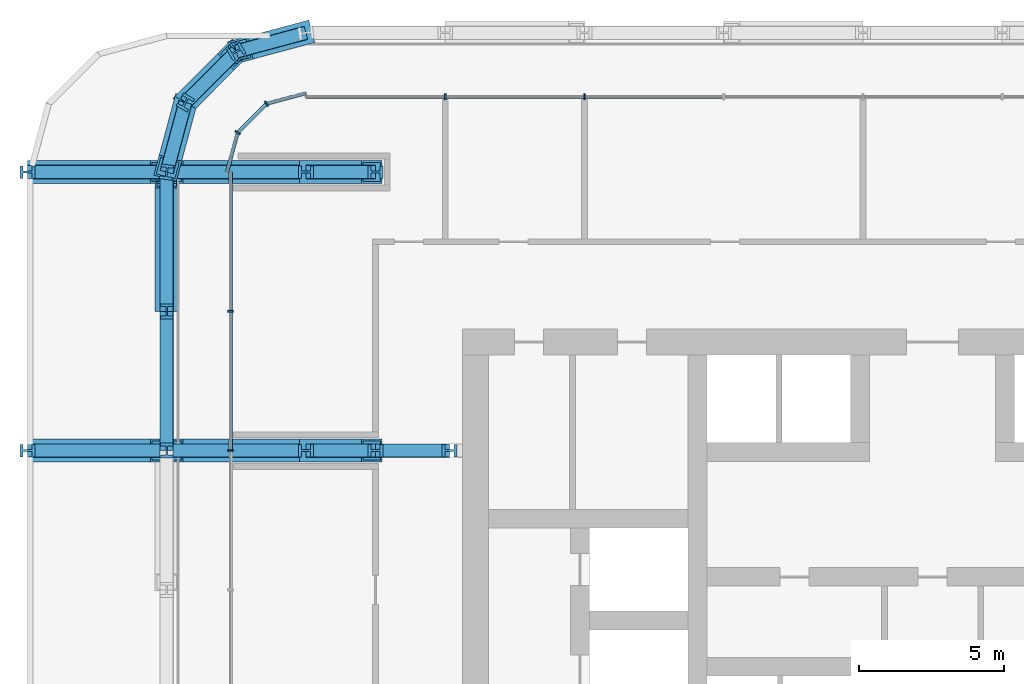
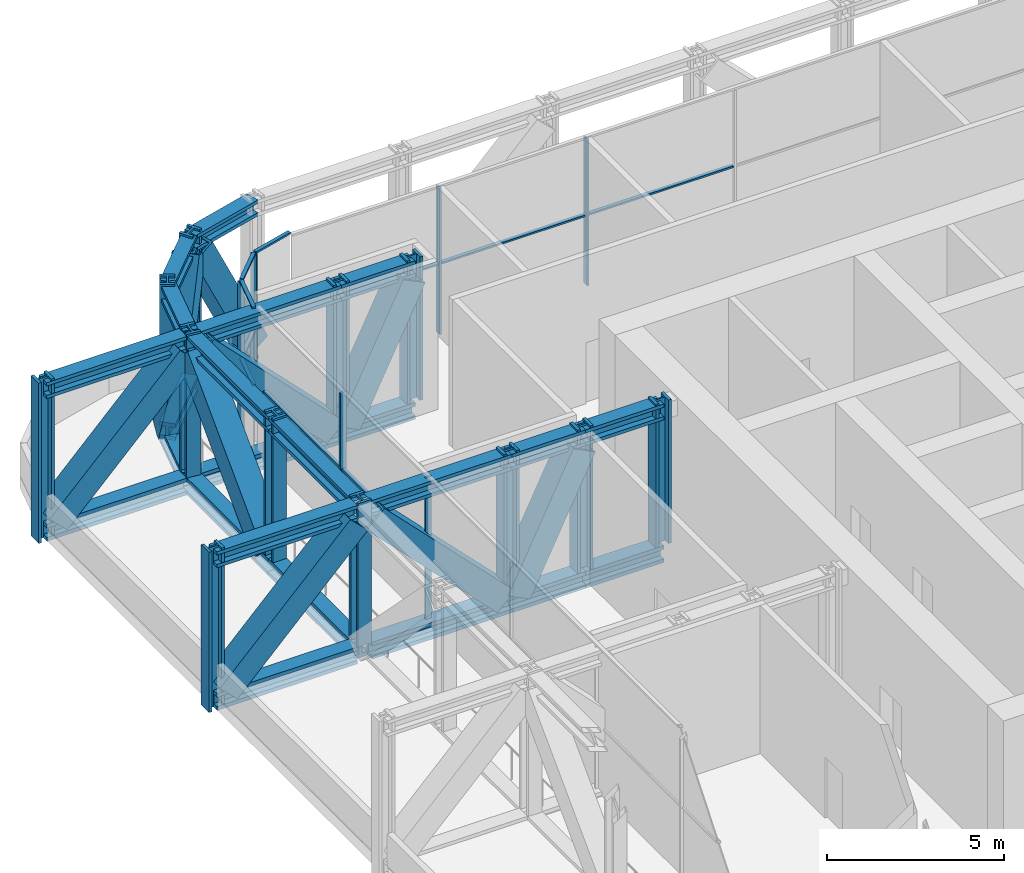
# One storey, part 12 of 30: 63 members, 3 elements without a shape of their own.
"""IFC4 building model written with IfcOpenShell, lengths in metres."""

from ifc_helpers import new_model, si_unit, direction, frame, origin, origin_2d, place, context, subcontext, project, spatial, rectangle, hollow_rectangle, i_section, extrude, material, layer, layer_set, material_profile, profile_set, type_object, element, aggregate, save


model = new_model("IFC4")

# Units and contexts
model_context = context("Model", 3, precision=1e-05, world=origin(), true_north=direction((0.0, 1.0)))
body_context = subcontext(model_context, "Body", "Model", "MODEL_VIEW")
ifc_project = project(units=[si_unit("LENGTHUNIT", "METRE"), si_unit("AREAUNIT", "SQUARE_METRE"), si_unit("VOLUMEUNIT", "CUBIC_METRE"), si_unit("PLANEANGLEUNIT", "RADIAN"), si_unit("MASSUNIT", "GRAM", prefix="KILO")], contexts=[model_context])

# Site, building, storey
site_placement = place(None, origin())
site = spatial("IfcSite", under=ifc_project, at=site_placement, CompositionType="ELEMENT")
building_placement = place(site_placement, origin())
building = spatial("IfcBuilding", under=site, at=building_placement, Name="Madar Terraces", CompositionType="ELEMENT")
storey_placement = place(building_placement, frame((0.0, 0.0, 53.89990234375)))
storey = spatial("IfcBuildingStorey", under=building, at=storey_placement, Name="L13", CompositionType="ELEMENT", Elevation=53.89990234375)

# Members
ifc_material_1 = material(Name="Steel ASTM A913 Grade 65", Category="steel")
ifc_material_profile_1 = material_profile(ifc_material_1, i_section(OverallWidth=0.472412109375, OverallDepth=0.5791015625, WebThickness=0.094970703125, FlangeThickness=0.130126953125, at=origin_2d()), Name="W14x808")
ifc_profile_set_1 = profile_set([ifc_material_profile_1], Name="Steel ASTM A913 Grade 65")
member_type_1 = type_object("IfcMemberType", Name="BC2 W14x808", PredefinedType="CHORD", material=ifc_profile_set_1)
member_1_placement = place(storey_placement, frame((9.60009765625, 48.0, -0.13037109375), z_axis=(-0.965930947833, -0.258799930484, 0.0), x_axis=(0.258799930484, -0.965930947833, 0.0)))
element("IfcMember", 1, at=member_1_placement, inside=storey, type_object=member_type_1, Name="Exoskeleton truss ring bottom chord BC2", PredefinedType="CHORD", context=body_context, shape_type="SweptSolid", body=[
    extrude(i_section(OverallWidth=0.472412109375, OverallDepth=0.5791015625, WebThickness=0.094970703125, FlangeThickness=0.130126953125, at=origin_2d()), origin(), (0.0, 0.0, 1.0), 2.48486328125),
])
member_2_placement = place(storey_placement, frame((7.199951171875, 47.35693359375, -0.13037109375), z_axis=(-0.707106781187, -0.707106781187, 0.0), x_axis=(0.707106781187, -0.707106781187, 0.0)))
element("IfcMember", 2, at=member_2_placement, inside=storey, type_object=member_type_1, Name="Exoskeleton truss ring bottom chord BC2", PredefinedType="CHORD", context=body_context, shape_type="SweptSolid", body=[
    extrude(i_section(OverallWidth=0.472412109375, OverallDepth=0.5791015625, WebThickness=0.094970703125, FlangeThickness=0.130126953125, at=origin_2d()), origin(), (0.0, 0.0, 1.0), 2.484619140625),
])
member_3_placement = place(storey_placement, frame((5.443115234375, 45.60009765625, -0.13037109375), z_axis=(-0.258799930484, -0.965930947833, 0.0), x_axis=(0.965930947833, -0.258799930484, 0.0)))
element("IfcMember", 3, at=member_3_placement, inside=storey, type_object=member_type_1, Name="Exoskeleton truss ring bottom chord BC2", PredefinedType="CHORD", context=body_context, shape_type="SweptSolid", body=[
    extrude(i_section(OverallWidth=0.472412109375, OverallDepth=0.5791015625, WebThickness=0.094970703125, FlangeThickness=0.130126953125, at=origin_2d()), origin(), (0.0, 0.0, 1.0), 2.48486328125),
])
member_4_placement = place(storey_placement, frame((4.800048828125, 43.199951171875, -0.13037109375), z_axis=(0.0, -1.0, 0.0), x_axis=(1.0, 0.0, 0.0)))
element("IfcMember", 4, at=member_4_placement, inside=storey, type_object=member_type_1, Name="Exoskeleton truss ring bottom chord BC2", PredefinedType="CHORD", context=body_context, shape_type="SweptSolid", body=[
    extrude(i_section(OverallWidth=0.472412109375, OverallDepth=0.5791015625, WebThickness=0.094970703125, FlangeThickness=0.130126953125, at=origin_2d()), origin(), (0.0, 0.0, 1.0), 4.800048828125),
])
member_5_placement = place(storey_placement, frame((4.800048828125, 38.39990234375, -0.13037109375), z_axis=(0.0, -1.0, 0.0), x_axis=(1.0, 0.0, 0.0)))
element("IfcMember", 5, at=member_5_placement, inside=storey, type_object=member_type_1, Name="Exoskeleton truss ring bottom chord BC2", PredefinedType="CHORD", context=body_context, shape_type="SweptSolid", body=[
    extrude(i_section(OverallWidth=0.472412109375, OverallDepth=0.5791015625, WebThickness=0.094970703125, FlangeThickness=0.130126953125, at=origin_2d()), origin(), (0.0, 0.0, 1.0), 4.7998046875),
])
member_6_placement = place(storey_placement, frame((0.0, 33.60009765625, -0.13037109375), z_axis=(1.0, 0.0, 0.0), x_axis=(0.0, 1.0, 0.0)))
element("IfcMember", 6, at=member_6_placement, inside=storey, type_object=member_type_1, Name="Exoskeleton truss cross W33.6 bottom chord BC2", PredefinedType="CHORD", context=body_context, shape_type="SweptSolid", body=[
    extrude(i_section(OverallWidth=0.472412109375, OverallDepth=0.5791015625, WebThickness=0.094970703125, FlangeThickness=0.130126953125, at=origin_2d()), origin(), (0.0, 0.0, 1.0), 4.563720703125),
])
member_7_placement = place(storey_placement, frame((5.0361328125, 33.60009765625, -0.13037109375), z_axis=(1.0, 0.0, 0.0), x_axis=(0.0, 1.0, 0.0)))
element("IfcMember", 7, at=member_7_placement, inside=storey, type_object=member_type_1, Name="Exoskeleton truss cross W33.6 bottom chord BC2", PredefinedType="CHORD", context=body_context, shape_type="SweptSolid", body=[
    extrude(i_section(OverallWidth=0.472412109375, OverallDepth=0.5791015625, WebThickness=0.094970703125, FlangeThickness=0.130126953125, at=origin_2d()), origin(), (0.0, 0.0, 1.0), 4.56396484375),
])
member_8_placement = place(storey_placement, frame((9.60009765625, 33.60009765625, -0.13037109375), z_axis=(1.0, 0.0, 0.0), x_axis=(0.0, 1.0, 0.0)))
element("IfcMember", 8, at=member_8_placement, inside=storey, type_object=member_type_1, Name="Exoskeleton truss cross W33.6 bottom chord BC2", PredefinedType="CHORD", context=body_context, shape_type="SweptSolid", body=[
    extrude(i_section(OverallWidth=0.472412109375, OverallDepth=0.5791015625, WebThickness=0.094970703125, FlangeThickness=0.130126953125, at=origin_2d()), origin(), (0.0, 0.0, 1.0), 2.39990234375),
])
member_9_placement = place(storey_placement, frame((12.0, 33.60009765625, -0.13037109375), z_axis=(1.0, 0.0, 0.0), x_axis=(0.0, 1.0, 0.0)))
element("IfcMember", 9, at=member_9_placement, inside=storey, type_object=member_type_1, Name="Exoskeleton truss cross W33.6 bottom chord BC2", PredefinedType="CHORD", context=body_context, shape_type="SweptSolid", body=[
    extrude(i_section(OverallWidth=0.472412109375, OverallDepth=0.5791015625, WebThickness=0.094970703125, FlangeThickness=0.130126953125, at=origin_2d()), origin(), (0.0, 0.0, 1.0), 2.550048828125),
])
member_10_placement = place(storey_placement, frame((0.0, 43.199951171875, -0.13037109375), z_axis=(1.0, 0.0, 0.0), x_axis=(0.0, 1.0, 0.0)))
element("IfcMember", 10, at=member_10_placement, inside=storey, type_object=member_type_1, Name="Exoskeleton truss cross W43.2 bottom chord BC2", PredefinedType="CHORD", context=body_context, shape_type="SweptSolid", body=[
    extrude(i_section(OverallWidth=0.472412109375, OverallDepth=0.5791015625, WebThickness=0.094970703125, FlangeThickness=0.130126953125, at=origin_2d()), origin(), (0.0, 0.0, 1.0), 4.563720703125),
])
member_11_placement = place(storey_placement, frame((5.0361328125, 43.199951171875, -0.13037109375), z_axis=(1.0, 0.0, 0.0), x_axis=(0.0, 1.0, 0.0)))
element("IfcMember", 11, at=member_11_placement, inside=storey, type_object=member_type_1, Name="Exoskeleton truss cross W43.2 bottom chord BC2", PredefinedType="CHORD", context=body_context, shape_type="SweptSolid", body=[
    extrude(i_section(OverallWidth=0.472412109375, OverallDepth=0.5791015625, WebThickness=0.094970703125, FlangeThickness=0.130126953125, at=origin_2d()), origin(), (0.0, 0.0, 1.0), 4.56396484375),
])
member_12_placement = place(storey_placement, frame((9.60009765625, 43.199951171875, -0.13037109375), z_axis=(1.0, 0.0, 0.0), x_axis=(0.0, 1.0, 0.0)))
element("IfcMember", 12, at=member_12_placement, inside=storey, type_object=member_type_1, Name="Exoskeleton truss cross W43.2 bottom chord BC2", PredefinedType="CHORD", context=body_context, shape_type="SweptSolid", body=[
    extrude(i_section(OverallWidth=0.472412109375, OverallDepth=0.5791015625, WebThickness=0.094970703125, FlangeThickness=0.130126953125, at=origin_2d()), origin(), (0.0, 0.0, 1.0), 2.39990234375),
])

# Curtain wall, members
ifc_material_2 = material(Name="Glass, ceramic frit dark grey, with black aluminium frame", Category="aluminium")
ifc_layer = layer(ifc_material_2, 0.199951171875)
ifc_layer_set = layer_set([ifc_layer], Name="Facade curtain wall, tall glazing")
curtain_wall_type = type_object("IfcCurtainWallType", Name="Facade curtain wall, tall glazing", PredefinedType="NOTDEFINED", material=ifc_layer_set)
curtain_wall_1_placement = place(storey_placement, origin())
curtain_wall_1 = element("IfcCurtainWall", 13, at=curtain_wall_1_placement, inside=storey, type_object=curtain_wall_type, Name="Outer skin curtain wall north bay 1", PredefinedType="NOTDEFINED")
ifc_material_3 = material(Name="Aluminium, black anodised", Category="aluminium")
ifc_material_profile_2 = material_profile(ifc_material_3, rectangle(XDim=0.199951171875, YDim=0.06005859375, at=origin_2d()), Name="Facade mullion 60x200")
ifc_profile_set_2 = profile_set([ifc_material_profile_2], Name="Aluminium, black anodised")
member_type_2 = type_object("IfcMemberType", Name="Facade mullion 60x200", PredefinedType="MULLION", material=ifc_profile_set_2)
member_13_placement = place(storey_placement, frame((19.199951171875, 45.800048828125, 0.0), z_axis=(0.0, 0.0, 1.0), x_axis=(0.0, -1.0, 0.0)))
member_13 = element("IfcMember", 14, at=member_13_placement, type_object=member_type_2, Name="Mullion 8", PredefinedType="MULLION", context=body_context, shape_type="SweptSolid", body=[
    extrude(rectangle(XDim=0.199951171875, YDim=0.06005859375, at=origin_2d()), origin(), (0.0, 0.0, 1.0), 5.0400390625),
])
member_14_placement = place(storey_placement, frame((14.39990234375, 45.800048828125, 0.0), z_axis=(0.0, 0.0, 1.0), x_axis=(0.0, -1.0, 0.0)))
member_14 = element("IfcMember", 15, at=member_14_placement, type_object=member_type_2, Name="Mullion 9", PredefinedType="MULLION", context=body_context, shape_type="SweptSolid", body=[
    extrude(rectangle(XDim=0.199951171875, YDim=0.06005859375, at=origin_2d()), origin(), (0.0, 0.0, 1.0), 5.0400390625),
])

curtain_wall_2_placement = place(storey_placement, origin())
curtain_wall_2 = element("IfcCurtainWall", 16, at=curtain_wall_2_placement, inside=storey, type_object=curtain_wall_type, Name="Outer skin curtain wall west bay 1", PredefinedType="NOTDEFINED")
member_15_placement = place(storey_placement, frame((7.0, 38.39990234375, 0.0), z_axis=(0.0, 0.0, 1.0), x_axis=(1.0, 0.0, 0.0)))
member_15 = element("IfcMember", 17, at=member_15_placement, type_object=member_type_2, Name="Mullion 1", PredefinedType="MULLION", context=body_context, shape_type="SweptSolid", body=[
    extrude(rectangle(XDim=0.199951171875, YDim=0.06005859375, at=origin_2d()), origin(), (0.0, 0.0, 1.0), 5.0400390625),
])
member_16_placement = place(storey_placement, frame((7.0, 33.60009765625, 0.0), z_axis=(0.0, 0.0, 1.0), x_axis=(1.0, 0.0, 0.0)))
member_16 = element("IfcMember", 18, at=member_16_placement, type_object=member_type_2, Name="Mullion 2", PredefinedType="MULLION", context=body_context, shape_type="SweptSolid", body=[
    extrude(rectangle(XDim=0.199951171875, YDim=0.06005859375, at=origin_2d()), origin(), (0.0, 0.0, 1.0), 5.0400390625),
])

curtain_wall_3_placement = place(storey_placement, origin())
curtain_wall_3 = element("IfcCurtainWall", 19, at=curtain_wall_3_placement, inside=storey, type_object=curtain_wall_type, Name="Outer skin curtain wall north-west corner", PredefinedType="NOTDEFINED")
member_17_placement = place(storey_placement, frame((8.239990234375, 45.5556640625, 0.0), z_axis=(0.0, 0.0, 1.0), x_axis=(0.500000029202, -0.866025386925, 0.0)))
member_17 = element("IfcMember", 20, at=member_17_placement, type_object=member_type_2, Name="Mullion 1", PredefinedType="MULLION", context=body_context, shape_type="SweptSolid", body=[
    extrude(rectangle(XDim=0.199951171875, YDim=0.06005859375, at=origin_2d()), origin(), (0.0, 0.0, 1.0), 5.0400390625),
])
member_18_placement = place(storey_placement, frame((7.244384765625, 44.56005859375, 0.0), z_axis=(0.0, 0.0, 1.0), x_axis=(0.866025386925, -0.500000029202, 0.0)))
member_18 = element("IfcMember", 21, at=member_18_placement, type_object=member_type_2, Name="Mullion 2", PredefinedType="MULLION", context=body_context, shape_type="SweptSolid", body=[
    extrude(rectangle(XDim=0.199951171875, YDim=0.06005859375, at=origin_2d()), origin(), (0.0, 0.0, 1.0), 5.0400390625),
])

# Member
ifc_material_4 = material(Name="Aluminium, black anodised", Category="aluminium")
ifc_material_profile_3 = material_profile(ifc_material_4, rectangle(XDim=0.1201171875, YDim=0.06005859375, at=origin_2d()), Name="Facade transom 60x120")
ifc_profile_set_3 = profile_set([ifc_material_profile_3], Name="Aluminium, black anodised")
member_type_3 = type_object("IfcMemberType", Name="Facade transom 60x120", PredefinedType="USERDEFINED", material=ifc_profile_set_3)
member_19_placement = place(storey_placement, frame((23.969970703125, 45.800048828125, 2.400146484375), z_axis=(-1.0, 0.0, 0.0), x_axis=(0.0, -1.0, 0.0)))
member_19 = element("IfcMember", 22, at=member_19_placement, type_object=member_type_3, Name="Transom 9", ObjectType="TRANSOM", PredefinedType="USERDEFINED", context=body_context, shape_type="SweptSolid", body=[
    extrude(rectangle(XDim=0.1201171875, YDim=0.06005859375, at=origin_2d()), origin(), (0.0, 0.0, 1.0), 4.739990234375),
])

member_20_placement = place(storey_placement, frame((19.169921875, 45.800048828125, 2.400146484375), z_axis=(-1.0, 0.0, 0.0), x_axis=(0.0, -1.0, 0.0)))
member_20 = element("IfcMember", 23, at=member_20_placement, type_object=member_type_3, Name="Transom 10", ObjectType="TRANSOM", PredefinedType="USERDEFINED", context=body_context, shape_type="SweptSolid", body=[
    extrude(rectangle(XDim=0.1201171875, YDim=0.06005859375, at=origin_2d()), origin(), (0.0, 0.0, 1.0), 4.739990234375),
])

member_21_placement = place(storey_placement, frame((14.3701171875, 45.800048828125, 2.400146484375), z_axis=(-1.0, 0.0, 0.0), x_axis=(0.0, -1.0, 0.0)))
member_21 = element("IfcMember", 24, at=member_21_placement, type_object=member_type_3, Name="Transom 11", ObjectType="TRANSOM", PredefinedType="USERDEFINED", context=body_context, shape_type="SweptSolid", body=[
    extrude(rectangle(XDim=0.1201171875, YDim=0.06005859375, at=origin_2d()), origin(), (0.0, 0.0, 1.0), 4.77001953125),
])

aggregate(curtain_wall_1, [member_13, member_14, member_19, member_20, member_21])

member_22_placement = place(storey_placement, frame((7.0, 43.199951171875, 2.400146484375), z_axis=(0.0, -1.0, 0.0), x_axis=(1.0, 0.0, 0.0)))
member_22 = element("IfcMember", 25, at=member_22_placement, type_object=member_type_3, Name="Transom 2", ObjectType="TRANSOM", PredefinedType="USERDEFINED", context=body_context, shape_type="SweptSolid", body=[
    extrude(rectangle(XDim=0.1201171875, YDim=0.06005859375, at=origin_2d()), origin(), (0.0, 0.0, 1.0), 4.77001953125),
])

member_23_placement = place(storey_placement, frame((7.0, 38.3701171875, 2.400146484375), z_axis=(0.0, -1.0, 0.0), x_axis=(1.0, 0.0, 0.0)))
member_23 = element("IfcMember", 26, at=member_23_placement, type_object=member_type_3, Name="Transom 3", ObjectType="TRANSOM", PredefinedType="USERDEFINED", context=body_context, shape_type="SweptSolid", body=[
    extrude(rectangle(XDim=0.1201171875, YDim=0.06005859375, at=origin_2d()), origin(), (0.0, 0.0, 1.0), 4.740234375),
])

aggregate(curtain_wall_2, [member_15, member_16, member_22, member_23])

member_24_placement = place(storey_placement, frame((9.60009765625, 45.919921875, 5.070068359375), z_axis=(-0.965919580711, -0.258842352791, 0.0), x_axis=(0.258842352791, -0.965919580711, 0.0)))
member_24 = element("IfcMember", 27, at=member_24_placement, type_object=member_type_3, Name="Transom 1", ObjectType="TRANSOM", PredefinedType="USERDEFINED", context=body_context, shape_type="SweptSolid", body=[
    extrude(rectangle(XDim=0.1201171875, YDim=0.06005859375, at=origin_2d()), origin(), (0.0, 0.0, 1.0), 1.3779296875),
])

member_25_placement = place(storey_placement, frame((9.60009765625, 45.919921875, 2.400146484375), z_axis=(-0.965919580711, -0.258842352791, 0.0), x_axis=(0.258842352791, -0.965919580711, 0.0)))
member_25 = element("IfcMember", 28, at=member_25_placement, type_object=member_type_3, Name="Transom 2", ObjectType="TRANSOM", PredefinedType="USERDEFINED", context=body_context, shape_type="SweptSolid", body=[
    extrude(rectangle(XDim=0.1201171875, YDim=0.06005859375, at=origin_2d()), origin(), (0.0, 0.0, 1.0), 1.3779296875),
])

member_26_placement = place(storey_placement, frame((8.21875, 45.534423828125, 5.070068359375), z_axis=(-0.707106781187, -0.707106781187, 0.0), x_axis=(0.707106781187, -0.707106781187, 0.0)))
member_26 = element("IfcMember", 29, at=member_26_placement, type_object=member_type_3, Name="Transom 3", ObjectType="TRANSOM", PredefinedType="USERDEFINED", context=body_context, shape_type="SweptSolid", body=[
    extrude(rectangle(XDim=0.1201171875, YDim=0.06005859375, at=origin_2d()), origin(), (0.0, 0.0, 1.0), 1.347900390625),
])

member_27_placement = place(storey_placement, frame((8.21875, 45.534423828125, 2.400146484375), z_axis=(-0.707106781187, -0.707106781187, 0.0), x_axis=(0.707106781187, -0.707106781187, 0.0)))
member_27 = element("IfcMember", 30, at=member_27_placement, type_object=member_type_3, Name="Transom 4", ObjectType="TRANSOM", PredefinedType="USERDEFINED", context=body_context, shape_type="SweptSolid", body=[
    extrude(rectangle(XDim=0.1201171875, YDim=0.06005859375, at=origin_2d()), origin(), (0.0, 0.0, 1.0), 1.347900390625),
])

member_28_placement = place(storey_placement, frame((7.236572265625, 44.531005859375, 5.070068359375), z_axis=(-0.258842352791, -0.965919580711, 0.0), x_axis=(0.965919580711, -0.258842352791, 0.0)))
member_28 = element("IfcMember", 31, at=member_28_placement, type_object=member_type_3, Name="Transom 5", ObjectType="TRANSOM", PredefinedType="USERDEFINED", context=body_context, shape_type="SweptSolid", body=[
    extrude(rectangle(XDim=0.1201171875, YDim=0.06005859375, at=origin_2d()), origin(), (0.0, 0.0, 1.0), 1.3779296875),
])

member_29_placement = place(storey_placement, frame((7.236572265625, 44.531005859375, 2.400146484375), z_axis=(-0.258842352791, -0.965919580711, 0.0), x_axis=(0.965919580711, -0.258842352791, 0.0)))
member_29 = element("IfcMember", 32, at=member_29_placement, type_object=member_type_3, Name="Transom 6", ObjectType="TRANSOM", PredefinedType="USERDEFINED", context=body_context, shape_type="SweptSolid", body=[
    extrude(rectangle(XDim=0.1201171875, YDim=0.06005859375, at=origin_2d()), origin(), (0.0, 0.0, 1.0), 1.3779296875),
])

aggregate(curtain_wall_3, [member_17, member_24, member_25, member_18, member_26, member_27, member_28, member_29])

# Members
ifc_material_5 = material(Name="Steel ASTM A913 Grade 65", Category="steel")
ifc_material_profile_4 = material_profile(ifc_material_5, i_section(OverallWidth=0.449462890625, OverallDepth=0.548583984375, WebThickness=0.07177734375, FlangeThickness=0.11474609375, at=origin_2d()), Name="W14x665")
ifc_profile_set_4 = profile_set([ifc_material_profile_4], Name="Steel ASTM A913 Grade 65")
member_type_4 = type_object("IfcMemberType", Name="TC2 W14x665", PredefinedType="CHORD", material=ifc_profile_set_4)
member_30_placement = place(storey_placement, frame((9.60009765625, 48.0, 4.755859375), z_axis=(-0.965930947833, -0.258799930484, 0.0), x_axis=(0.258799930484, -0.965930947833, 0.0)))
element("IfcMember", 33, at=member_30_placement, inside=storey, type_object=member_type_4, Name="Exoskeleton truss ring top chord TC2", PredefinedType="CHORD", context=body_context, shape_type="SweptSolid", body=[
    extrude(i_section(OverallWidth=0.449462890625, OverallDepth=0.548583984375, WebThickness=0.07177734375, FlangeThickness=0.11474609375, at=origin_2d()), origin(), (0.0, 0.0, 1.0), 2.48486328125),
])
member_31_placement = place(storey_placement, frame((7.199951171875, 47.35693359375, 4.755859375), z_axis=(-0.707106781187, -0.707106781187, 0.0), x_axis=(0.707106781187, -0.707106781187, 0.0)))
element("IfcMember", 34, at=member_31_placement, inside=storey, type_object=member_type_4, Name="Exoskeleton truss ring top chord TC2", PredefinedType="CHORD", context=body_context, shape_type="SweptSolid", body=[
    extrude(i_section(OverallWidth=0.449462890625, OverallDepth=0.548583984375, WebThickness=0.07177734375, FlangeThickness=0.11474609375, at=origin_2d()), origin(), (0.0, 0.0, 1.0), 2.484619140625),
])
member_32_placement = place(storey_placement, frame((5.443115234375, 45.60009765625, 4.755859375), z_axis=(-0.258799930484, -0.965930947833, 0.0), x_axis=(0.965930947833, -0.258799930484, 0.0)))
element("IfcMember", 35, at=member_32_placement, inside=storey, type_object=member_type_4, Name="Exoskeleton truss ring top chord TC2", PredefinedType="CHORD", context=body_context, shape_type="SweptSolid", body=[
    extrude(i_section(OverallWidth=0.449462890625, OverallDepth=0.548583984375, WebThickness=0.07177734375, FlangeThickness=0.11474609375, at=origin_2d()), origin(), (0.0, 0.0, 1.0), 2.48486328125),
])
member_33_placement = place(storey_placement, frame((4.800048828125, 43.199951171875, 4.755859375), z_axis=(0.0, -1.0, 0.0), x_axis=(1.0, 0.0, 0.0)))
element("IfcMember", 36, at=member_33_placement, inside=storey, type_object=member_type_4, Name="Exoskeleton truss ring top chord TC2", PredefinedType="CHORD", context=body_context, shape_type="SweptSolid", body=[
    extrude(i_section(OverallWidth=0.449462890625, OverallDepth=0.548583984375, WebThickness=0.07177734375, FlangeThickness=0.11474609375, at=origin_2d()), origin(), (0.0, 0.0, 1.0), 4.800048828125),
])
member_34_placement = place(storey_placement, frame((4.800048828125, 38.39990234375, 4.755859375), z_axis=(0.0, -1.0, 0.0), x_axis=(1.0, 0.0, 0.0)))
element("IfcMember", 37, at=member_34_placement, inside=storey, type_object=member_type_4, Name="Exoskeleton truss ring top chord TC2", PredefinedType="CHORD", context=body_context, shape_type="SweptSolid", body=[
    extrude(i_section(OverallWidth=0.449462890625, OverallDepth=0.548583984375, WebThickness=0.07177734375, FlangeThickness=0.11474609375, at=origin_2d()), origin(), (0.0, 0.0, 1.0), 4.7998046875),
])
for number, where, z_axis, x_axis, name in (
    (38, (0.0, 33.60009765625, 4.755859375), (1.0, 0.0, 0.0), (0.0, 1.0, 0.0), "Exoskeleton truss cross W33.6 top chord TC2"),
    (39, (5.02490234375, 33.60009765625, 4.755859375), (1.0, 0.0, 0.0), (0.0, 1.0, 0.0), "Exoskeleton truss cross W33.6 top chord TC2"),
):
    element("IfcMember", number, at=place(storey_placement, frame(where, z_axis=z_axis, x_axis=x_axis)), inside=storey, type_object=member_type_4, Name=name, PredefinedType="CHORD", context=body_context, shape_type="SweptSolid", body=[
        extrude(i_section(OverallWidth=0.449462890625, OverallDepth=0.548583984375, WebThickness=0.07177734375, FlangeThickness=0.11474609375, at=origin_2d()), origin(), (0.0, 0.0, 1.0), 4.5751953125),
    ])
member_35_placement = place(storey_placement, frame((9.60009765625, 33.60009765625, 4.755859375), z_axis=(1.0, 0.0, 0.0), x_axis=(0.0, 1.0, 0.0)))
element("IfcMember", 40, at=member_35_placement, inside=storey, type_object=member_type_4, Name="Exoskeleton truss cross W33.6 top chord TC2", PredefinedType="CHORD", context=body_context, shape_type="SweptSolid", body=[
    extrude(i_section(OverallWidth=0.449462890625, OverallDepth=0.548583984375, WebThickness=0.07177734375, FlangeThickness=0.11474609375, at=origin_2d()), origin(), (0.0, 0.0, 1.0), 2.39990234375),
])
member_36_placement = place(storey_placement, frame((12.0, 33.60009765625, 4.755859375), z_axis=(1.0, 0.0, 0.0), x_axis=(0.0, 1.0, 0.0)))
element("IfcMember", 41, at=member_36_placement, inside=storey, type_object=member_type_4, Name="Exoskeleton truss cross W33.6 top chord TC2", PredefinedType="CHORD", context=body_context, shape_type="SweptSolid", body=[
    extrude(i_section(OverallWidth=0.449462890625, OverallDepth=0.548583984375, WebThickness=0.07177734375, FlangeThickness=0.11474609375, at=origin_2d()), origin(), (0.0, 0.0, 1.0), 2.550048828125),
])
for number, where, z_axis, x_axis, name in (
    (42, (0.0, 43.199951171875, 4.755859375), (1.0, 0.0, 0.0), (0.0, 1.0, 0.0), "Exoskeleton truss cross W43.2 top chord TC2"),
    (43, (5.02490234375, 43.199951171875, 4.755859375), (1.0, 0.0, 0.0), (0.0, 1.0, 0.0), "Exoskeleton truss cross W43.2 top chord TC2"),
):
    element("IfcMember", number, at=place(storey_placement, frame(where, z_axis=z_axis, x_axis=x_axis)), inside=storey, type_object=member_type_4, Name=name, PredefinedType="CHORD", context=body_context, shape_type="SweptSolid", body=[
        extrude(i_section(OverallWidth=0.449462890625, OverallDepth=0.548583984375, WebThickness=0.07177734375, FlangeThickness=0.11474609375, at=origin_2d()), origin(), (0.0, 0.0, 1.0), 4.5751953125),
    ])
member_37_placement = place(storey_placement, frame((9.60009765625, 43.199951171875, 4.755859375), z_axis=(1.0, 0.0, 0.0), x_axis=(0.0, 1.0, 0.0)))
element("IfcMember", 44, at=member_37_placement, inside=storey, type_object=member_type_4, Name="Exoskeleton truss cross W43.2 top chord TC2", PredefinedType="CHORD", context=body_context, shape_type="SweptSolid", body=[
    extrude(i_section(OverallWidth=0.449462890625, OverallDepth=0.548583984375, WebThickness=0.07177734375, FlangeThickness=0.11474609375, at=origin_2d()), origin(), (0.0, 0.0, 1.0), 2.39990234375),
])
ifc_material_6 = material(Name="Steel ASTM A572 Grade 50", Category="steel")
ifc_material_profile_5 = material_profile(ifc_material_6, hollow_rectangle(XDim=0.800048828125, YDim=0.800048828125, WallThickness=0.070068359375, at=origin_2d()), Name="BOX800x800x70")
ifc_profile_set_5 = profile_set([ifc_material_profile_5], Name="Steel ASTM A572 Grade 50")
member_type_5 = type_object("IfcMemberType", Name="TD2 BOX800x800x70", PredefinedType="BRACE", material=ifc_profile_set_5)
for number, where, z_axis, x_axis, name in (
    (45, (9.457763671875, 47.9619140625, 0.1591796875), (-0.437831015487, -0.117312128115, 0.89137077946), (0.258810113966, -0.965928219336, 0.0), "Exoskeleton truss ring diagonal TD2"),
    (46, (7.101318359375, 47.25830078125, 4.4814453125), (-0.320517832742, -0.320517832742, -0.891367846508), (0.707106781187, -0.707106781187, 0.0), "Exoskeleton truss ring diagonal TD2"),
    (47, (5.405029296875, 45.457763671875, 0.1591796875), (-0.117312128115, -0.437831015487, 0.89137077946), (0.965928219336, -0.258810113966, 0.0), "Exoskeleton truss ring diagonal TD2"),
):
    element("IfcMember", number, at=place(storey_placement, frame(where, z_axis=z_axis, x_axis=x_axis)), inside=storey, type_object=member_type_5, Name=name, PredefinedType="BRACE", context=body_context, shape_type="SweptSolid", body=[
        extrude(hollow_rectangle(XDim=0.800048828125, YDim=0.800048828125, WallThickness=0.070068359375, at=origin_2d()), origin(), (0.0, 0.0, 1.0), 4.84912109375),
    ])
member_38_placement = place(storey_placement, frame((4.800048828125, 42.930419921875, 4.4814453125), z_axis=(0.0, -0.700772473755, -0.713384847068), x_axis=(1.0, 0.0, 0.0)))
element("IfcMember", 48, at=member_38_placement, inside=storey, type_object=member_type_5, Name="Exoskeleton truss ring diagonal TD2", PredefinedType="BRACE", context=body_context, shape_type="SweptSolid", body=[
    extrude(hollow_rectangle(XDim=0.800048828125, YDim=0.800048828125, WallThickness=0.070068359375, at=origin_2d()), origin(), (0.0, 0.0, 1.0), 6.058837890625),
])
member_39_placement = place(storey_placement, frame((0.284423828125, 33.60009765625, 0.1591796875), z_axis=(0.700792979798, 0.0, 0.713364702986), x_axis=(0.0, 1.0, 0.0)))
element("IfcMember", 49, at=member_39_placement, inside=storey, type_object=member_type_5, Name="Exoskeleton truss cross W33.6 diagonal TD2", PredefinedType="BRACE", context=body_context, shape_type="SweptSolid", body=[
    extrude(hollow_rectangle(XDim=0.800048828125, YDim=0.800048828125, WallThickness=0.070068359375, at=origin_2d()), origin(), (0.0, 0.0, 1.0), 6.05908203125),
])
member_40_placement = place(storey_placement, frame((5.069580078125, 33.60009765625, 4.4814453125), z_axis=(0.700772473755, 0.0, -0.713384847068), x_axis=(0.0, 1.0, 0.0)))
element("IfcMember", 50, at=member_40_placement, inside=storey, type_object=member_type_5, Name="Exoskeleton truss cross W33.6 diagonal TD2", PredefinedType="BRACE", context=body_context, shape_type="SweptSolid", body=[
    extrude(hollow_rectangle(XDim=0.800048828125, YDim=0.800048828125, WallThickness=0.070068359375, at=origin_2d()), origin(), (0.0, 0.0, 1.0), 6.058837890625),
])
member_41_placement = place(storey_placement, frame((9.7421875, 33.60009765625, 0.1591796875), z_axis=(0.440875217674, 0.0, 0.897568405438), x_axis=(0.0, 1.0, 0.0)))
element("IfcMember", 51, at=member_41_placement, inside=storey, type_object=member_type_5, Name="Exoskeleton truss cross W33.6 diagonal TD2", PredefinedType="BRACE", context=body_context, shape_type="SweptSolid", body=[
    extrude(hollow_rectangle(XDim=0.800048828125, YDim=0.800048828125, WallThickness=0.070068359375, at=origin_2d()), origin(), (0.0, 0.0, 1.0), 4.8154296875),
])
member_42_placement = place(storey_placement, frame((0.284423828125, 43.199951171875, 0.1591796875), z_axis=(0.700792979798, 0.0, 0.713364702986), x_axis=(0.0, 1.0, 0.0)))
element("IfcMember", 52, at=member_42_placement, inside=storey, type_object=member_type_5, Name="Exoskeleton truss cross W43.2 diagonal TD2", PredefinedType="BRACE", context=body_context, shape_type="SweptSolid", body=[
    extrude(hollow_rectangle(XDim=0.800048828125, YDim=0.800048828125, WallThickness=0.070068359375, at=origin_2d()), origin(), (0.0, 0.0, 1.0), 6.05908203125),
])
member_43_placement = place(storey_placement, frame((5.069580078125, 43.199951171875, 4.4814453125), z_axis=(0.700772473755, 0.0, -0.713384847068), x_axis=(0.0, 1.0, 0.0)))
element("IfcMember", 53, at=member_43_placement, inside=storey, type_object=member_type_5, Name="Exoskeleton truss cross W43.2 diagonal TD2", PredefinedType="BRACE", context=body_context, shape_type="SweptSolid", body=[
    extrude(hollow_rectangle(XDim=0.800048828125, YDim=0.800048828125, WallThickness=0.070068359375, at=origin_2d()), origin(), (0.0, 0.0, 1.0), 6.058837890625),
])
member_44_placement = place(storey_placement, frame((9.7421875, 43.199951171875, 0.1591796875), z_axis=(0.440875217674, 0.0, 0.897568405438), x_axis=(0.0, 1.0, 0.0)))
element("IfcMember", 54, at=member_44_placement, inside=storey, type_object=member_type_5, Name="Exoskeleton truss cross W43.2 diagonal TD2", PredefinedType="BRACE", context=body_context, shape_type="SweptSolid", body=[
    extrude(hollow_rectangle(XDim=0.800048828125, YDim=0.800048828125, WallThickness=0.070068359375, at=origin_2d()), origin(), (0.0, 0.0, 1.0), 4.8154296875),
])
ifc_material_7 = material(Name="Steel ASTM A913 Grade 65", Category="steel")
ifc_material_profile_6 = material_profile(ifc_material_7, i_section(OverallWidth=0.436767578125, OverallDepth=0.51318359375, WebThickness=0.060546875, FlangeThickness=0.096923828125, at=origin_2d()), Name="W14x550")
ifc_profile_set_6 = profile_set([ifc_material_profile_6], Name="Steel ASTM A913 Grade 65")
member_type_6 = type_object("IfcMemberType", Name="TV2 W14x550", PredefinedType="POST", material=ifc_profile_set_6)
for number, where, z_axis, x_axis, name in (
    (55, (7.199951171875, 47.35693359375, 0.1591796875), (0.0, 0.0, 1.0), (0.499999984885, -0.866025412511, 0.0), "Exoskeleton truss ring post TV2"),
    (56, (5.443115234375, 45.60009765625, 0.1591796875), (0.0, 0.0, 1.0), (0.866025412511, -0.499999984885, 0.0), "Exoskeleton truss ring post TV2"),
    (57, (4.800048828125, 43.199951171875, 0.1591796875), (0.0, 0.0, 1.0), (0.991444863652, -0.130526174916, 0.0), "Exoskeleton truss ring post TV2"),
    (58, (4.800048828125, 38.39990234375, 0.1591796875), (0.0, 0.0, 1.0), (1.0, 0.0, 0.0), "Exoskeleton truss ring post TV2"),
    (59, (4.800048828125, 33.60009765625, 0.1591796875), (0.0, 0.0, 1.0), (1.0, 0.0, 0.0), "Exoskeleton truss ring post TV2"),
):
    element("IfcMember", number, at=place(storey_placement, frame(where, z_axis=z_axis, x_axis=x_axis)), inside=storey, type_object=member_type_6, Name=name, PredefinedType="POST", context=body_context, shape_type="SweptSolid", body=[
        extrude(i_section(OverallWidth=0.436767578125, OverallDepth=0.51318359375, WebThickness=0.060546875, FlangeThickness=0.096923828125, at=origin_2d()), origin(), (0.0, 0.0, 1.0), 4.94091796875),
    ])
member_45_placement = place(storey_placement, frame((0.0, 33.60009765625, -0.419921875), z_axis=(0.0, 0.0, 1.0), x_axis=(0.0, 1.0, 0.0)))
element("IfcMember", 60, at=member_45_placement, inside=storey, type_object=member_type_6, Name="Exoskeleton truss cross W33.6 post TV2", PredefinedType="POST", context=body_context, shape_type="SweptSolid", body=[
    extrude(i_section(OverallWidth=0.436767578125, OverallDepth=0.51318359375, WebThickness=0.060546875, FlangeThickness=0.096923828125, at=origin_2d()), origin(), (0.0, 0.0, 1.0), 5.52001953125),
])
for number, where, z_axis, x_axis, name in (
    (61, (9.60009765625, 33.60009765625, 0.1591796875), (0.0, 0.0, 1.0), (0.0, 1.0, 0.0), "Exoskeleton truss cross W33.6 post TV2"),
    (62, (12.0, 33.60009765625, 0.1591796875), (0.0, 0.0, 1.0), (0.0, 1.0, 0.0), "Exoskeleton truss cross W33.6 post TV2"),
    (63, (14.550048828125, 33.60009765625, 0.1591796875), (0.0, 0.0, 1.0), (0.0, 1.0, 0.0), "Exoskeleton truss cross W33.6 post TV2"),
):
    element("IfcMember", number, at=place(storey_placement, frame(where, z_axis=z_axis, x_axis=x_axis)), inside=storey, type_object=member_type_6, Name=name, PredefinedType="POST", context=body_context, shape_type="SweptSolid", body=[
        extrude(i_section(OverallWidth=0.436767578125, OverallDepth=0.51318359375, WebThickness=0.060546875, FlangeThickness=0.096923828125, at=origin_2d()), origin(), (0.0, 0.0, 1.0), 4.94091796875),
    ])
member_46_placement = place(storey_placement, frame((0.0, 43.199951171875, -0.419921875), z_axis=(0.0, 0.0, 1.0), x_axis=(0.0, 1.0, 0.0)))
element("IfcMember", 64, at=member_46_placement, inside=storey, type_object=member_type_6, Name="Exoskeleton truss cross W43.2 post TV2", PredefinedType="POST", context=body_context, shape_type="SweptSolid", body=[
    extrude(i_section(OverallWidth=0.436767578125, OverallDepth=0.51318359375, WebThickness=0.060546875, FlangeThickness=0.096923828125, at=origin_2d()), origin(), (0.0, 0.0, 1.0), 5.52001953125),
])
for number, where, z_axis, x_axis, name in (
    (65, (9.60009765625, 43.199951171875, 0.1591796875), (0.0, 0.0, 1.0), (0.0, 1.0, 0.0), "Exoskeleton truss cross W43.2 post TV2"),
    (66, (12.0, 43.199951171875, 0.1591796875), (0.0, 0.0, 1.0), (0.0, 1.0, 0.0), "Exoskeleton truss cross W43.2 post TV2"),
):
    element("IfcMember", number, at=place(storey_placement, frame(where, z_axis=z_axis, x_axis=x_axis)), inside=storey, type_object=member_type_6, Name=name, PredefinedType="POST", context=body_context, shape_type="SweptSolid", body=[
        extrude(i_section(OverallWidth=0.436767578125, OverallDepth=0.51318359375, WebThickness=0.060546875, FlangeThickness=0.096923828125, at=origin_2d()), origin(), (0.0, 0.0, 1.0), 4.94091796875),
    ])

save(model, "model.ifc")
